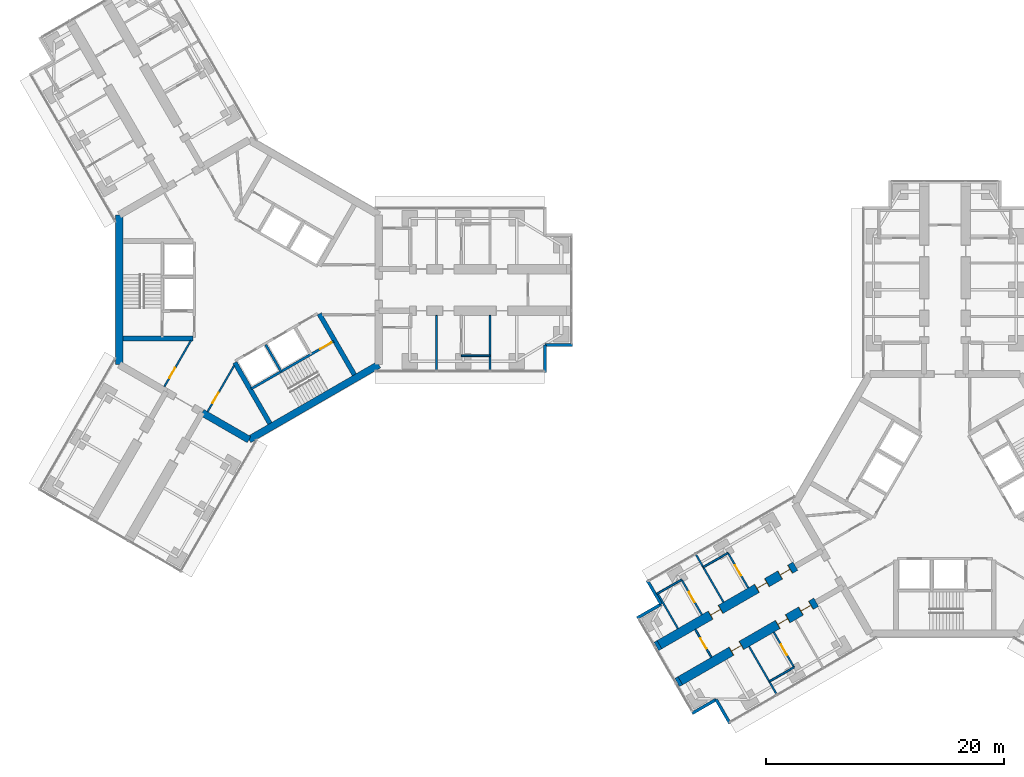
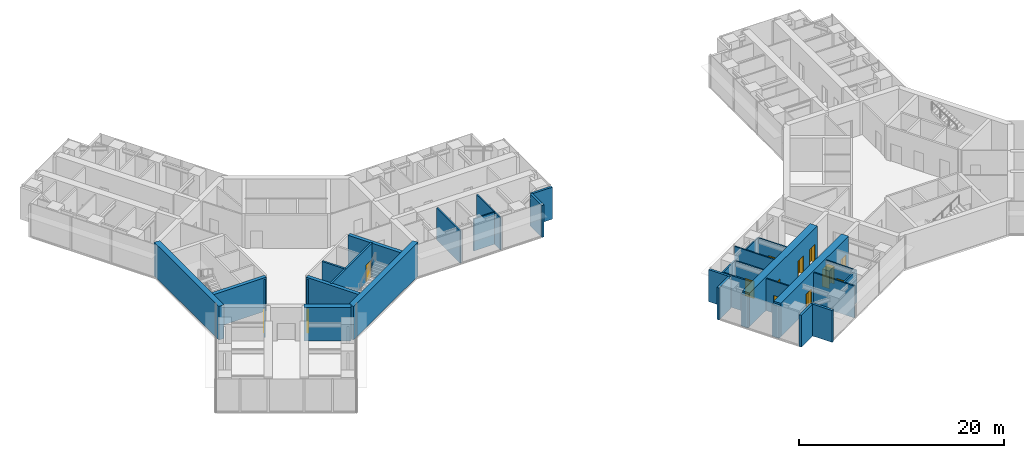
# One storey, part 15 of 22: 33 walls, 13 doors, 13 openings.
"""IFC4 building model written with IfcOpenShell, lengths in metres."""

from ifc_helpers import new_model, si_unit, direction, frame, frame_2d, origin, place, context, subcontext, project, spatial, rectangle, extrude, material, layer, layer_set, type_object, element, fill, save


model = new_model("IFC4")

# Units and contexts
model_context = context("Model", 3, precision=1e-05, world=origin(), true_north=direction((0.0, 1.0)))
body_context = subcontext(model_context, "Body", "Model", "MODEL_VIEW")
ifc_project = project(units=[si_unit("LENGTHUNIT", "METRE"), si_unit("AREAUNIT", "SQUARE_METRE"), si_unit("VOLUMEUNIT", "CUBIC_METRE"), si_unit("PLANEANGLEUNIT", "RADIAN"), si_unit("MASSUNIT", "GRAM", prefix="KILO")], contexts=[model_context])

# Site, building, storey
site_placement = place(None, origin())
site = spatial("IfcSite", under=ifc_project, at=site_placement, CompositionType="ELEMENT")
building_placement = place(site_placement, origin())
building = spatial("IfcBuilding", under=site, at=building_placement, Name="Upepo Twin Towers", CompositionType="ELEMENT")
storey_placement = place(building_placement, frame((0.0, 0.0, 133.5)))
storey = spatial("IfcBuildingStorey", under=building, at=storey_placement, Name="L32", CompositionType="ELEMENT", Elevation=133.5)

# Walls
ifc_material_1 = material(Name="Dense concrete blockwork", Category="masonry")
ifc_layer_1 = layer(ifc_material_1, 0.800048828125)
ifc_layer_set_1 = layer_set([ifc_layer_1], Name="Buttress closer 800, blockwork with fire-stopping to the curtain wall")
wall_type_1 = type_object("IfcWallType", Name="Buttress closer 800, blockwork with fire-stopping to the curtain wall", PredefinedType="PARTITIONING", material=ifc_layer_set_1)
wall_1_placement = place(storey_placement, frame((36.252197265625, -32.865478515625, 0.0), z_axis=(0.0, 0.0, 1.0), x_axis=(-0.865778900179, -0.500426713919, 0.0)))
element("IfcWall", 1, at=wall_1_placement, inside=storey, type_object=wall_type_1, Name="T2 L32 wing B buttress closer L", PredefinedType="PARTITIONING", context=body_context, shape_type="SweptSolid", body=[
    extrude(rectangle(XDim=0.300048828125, YDim=0.800048828125, at=frame_2d((0.14990234375, 0.0))), origin(), (0.0, 0.0, 1.0), 3.800048828125),
])
wall_2_placement = place(storey_placement, frame((34.502197265625, -29.83447265625, 0.0), z_axis=(0.0, 0.0, 1.0), x_axis=(-0.866131372301, -0.499816412211, 0.0)))
element("IfcWall", 2, at=wall_2_placement, inside=storey, type_object=wall_type_1, Name="T2 L32 wing B buttress closer R", PredefinedType="PARTITIONING", context=body_context, shape_type="SweptSolid", body=[
    extrude(rectangle(XDim=0.2998046875, YDim=0.800048828125, at=frame_2d((0.14990234375, 0.0))), origin(), (0.0, 0.0, 1.0), 3.800048828125),
])

# Wall, openings, doors
ifc_material_2 = material(Name="Concrete C60/75", Category="concrete")
ifc_layer_2 = layer(ifc_material_2, 0.800048828125)
ifc_layer_set_2 = layer_set([ifc_layer_2], Name="Concrete C60/75")
wall_type_2 = type_object("IfcWallType", Name="Buttress wall 800 RC", PredefinedType="SHEAR", material=ifc_layer_set_2)
wall_3_placement = place(storey_placement, frame((47.68359375, -26.265625, 0.0), z_axis=(0.0, 0.0, 1.0), x_axis=(-0.866027579429, -0.499996231654, 0.0)))
wall_3 = element("IfcWall", 3, at=wall_3_placement, inside=storey, type_object=wall_type_2, Name="T2 wing B buttress wall L part 2", PredefinedType="SHEAR", context=body_context, shape_type="SweptSolid", body=[
    extrude(rectangle(XDim=13.19970703125, YDim=0.800048828125, at=frame_2d((6.599853515625, 0.0))), origin(), (0.0, 0.0, 1.0), 4.0),
])
opening_1_placement = place(wall_3_placement, frame((0.5, 0.0, 0.0)))
opening_1 = element("IfcOpeningElement", 4, at=opening_1_placement, cuts=wall_3, Name="Opening D1", PredefinedType="OPENING", context=body_context, shape_type="SweptSolid", body=[
    extrude(rectangle(XDim=1.0, YDim=2.10009765625, at=frame_2d((0.5, 1.050048828125))), frame((0.0, 0.409912109375, 0.0), z_axis=(0.0, -1.0, 0.0), x_axis=(1.0, 0.0, 0.0)), (0.0, 0.0, 1.0), 0.820068359375),
])
opening_2_placement = place(wall_3_placement, frame((2.75, 0.0, 0.0)))
opening_2 = element("IfcOpeningElement", 5, at=opening_2_placement, cuts=wall_3, Name="Opening D1", PredefinedType="OPENING", context=body_context, shape_type="SweptSolid", body=[
    extrude(rectangle(XDim=1.0, YDim=2.10009765625, at=frame_2d((0.5, 1.050048828125))), frame((0.0, 0.409912109375, 0.0), z_axis=(0.0, -1.0, 0.0), x_axis=(1.0, 0.0, 0.0)), (0.0, 0.0, 1.0), 0.820068359375),
])
opening_3_placement = place(wall_3_placement, frame((7.25, 0.0, 0.0)))
opening_3 = element("IfcOpeningElement", 6, at=opening_3_placement, cuts=wall_3, Name="Opening D1", PredefinedType="OPENING", context=body_context, shape_type="SweptSolid", body=[
    extrude(rectangle(XDim=1.0, YDim=2.10009765625, at=frame_2d((0.5, 1.050048828125))), frame((0.0, 0.409912109375, 0.0), z_axis=(0.0, -1.0, 0.0), x_axis=(1.0, 0.0, 0.0)), (0.0, 0.0, 1.0), 0.820068359375),
])
ifc_material_3 = material(Name="Timber doorset", Category="wood")
door_type_1 = type_object("IfcDoorType", Name="Room door 1000 FD30", OperationType="SINGLE_SWING_LEFT", PredefinedType="DOOR", material=ifc_material_3)
door_1_placement = place(opening_1_placement, origin())
door_1 = element("IfcDoor", 7, at=door_1_placement, inside=storey, type_object=door_type_1, Name="T2 L32 tutorial room door", OperationType="SINGLE_SWING_LEFT", OverallHeight=2.10009765625, OverallWidth=1.0, PredefinedType="DOOR", context=body_context, shape_type="SweptSolid", body=[
    extrude(rectangle(XDim=0.92, YDim=2.06009765625, at=frame_2d((0.5, 1.030029296875))), frame((0.0, 0.02490234375, 0.0), z_axis=(0.0, -1.0, 0.0), x_axis=(1.0, 0.0, 0.0)), (0.0, 0.0, 1.0), 0.050048828125),
    extrude(rectangle(XDim=0.04, YDim=2.10009765625, at=frame_2d((0.02001953125, 1.050048828125))), frame((0.0, 0.39990234375, 0.0), z_axis=(0.0, -1.0, 0.0), x_axis=(1.0, 0.0, 0.0)), (0.0, 0.0, 1.0), 0.799560546875),
    extrude(rectangle(XDim=0.04, YDim=2.10009765625, at=frame_2d((0.97998046875, 1.050048828125))), frame((0.0, 0.39990234375, 0.0), z_axis=(0.0, -1.0, 0.0), x_axis=(1.0, 0.0, 0.0)), (0.0, 0.0, 1.0), 0.799560546875),
    extrude(rectangle(XDim=0.92, YDim=0.04, at=frame_2d((0.5, 2.080078125))), frame((0.0, 0.39990234375, 0.0), z_axis=(0.0, -1.0, 0.0), x_axis=(1.0, 0.0, 0.0)), (0.0, 0.0, 1.0), 0.799560546875),
])
fill(opening_1, door_1)
door_2_placement = place(opening_2_placement, origin())
door_2 = element("IfcDoor", 8, at=door_2_placement, inside=storey, type_object=door_type_1, Name="T2 L32 staff office door", OperationType="SINGLE_SWING_LEFT", OverallHeight=2.10009765625, OverallWidth=1.0, PredefinedType="DOOR", context=body_context, shape_type="SweptSolid", body=[
    extrude(rectangle(XDim=0.92, YDim=2.06009765625, at=frame_2d((0.5, 1.030029296875))), frame((0.0, 0.02490234375, 0.0), z_axis=(0.0, -1.0, 0.0), x_axis=(1.0, 0.0, 0.0)), (0.0, 0.0, 1.0), 0.050048828125),
    extrude(rectangle(XDim=0.04, YDim=2.10009765625, at=frame_2d((0.02001953125, 1.050048828125))), frame((0.0, 0.39990234375, 0.0), z_axis=(0.0, -1.0, 0.0), x_axis=(1.0, 0.0, 0.0)), (0.0, 0.0, 1.0), 0.799560546875),
    extrude(rectangle(XDim=0.04, YDim=2.10009765625, at=frame_2d((0.97998046875, 1.050048828125))), frame((0.0, 0.39990234375, 0.0), z_axis=(0.0, -1.0, 0.0), x_axis=(1.0, 0.0, 0.0)), (0.0, 0.0, 1.0), 0.799560546875),
    extrude(rectangle(XDim=0.92, YDim=0.04, at=frame_2d((0.5, 2.080078125))), frame((0.0, 0.39990234375, 0.0), z_axis=(0.0, -1.0, 0.0), x_axis=(1.0, 0.0, 0.0)), (0.0, 0.0, 1.0), 0.799560546875),
])
fill(opening_2, door_2)
door_3_placement = place(opening_3_placement, origin())
door_3 = element("IfcDoor", 9, at=door_3_placement, inside=storey, type_object=door_type_1, Name="T2 L32 seminar room door", OperationType="SINGLE_SWING_RIGHT", OverallHeight=2.10009765625, OverallWidth=1.0, PredefinedType="DOOR", context=body_context, shape_type="SweptSolid", body=[
    extrude(rectangle(XDim=0.92, YDim=2.06009765625, at=frame_2d((0.5, 1.030029296875))), frame((0.0, 0.02490234375, 0.0), z_axis=(0.0, -1.0, 0.0), x_axis=(1.0, 0.0, 0.0)), (0.0, 0.0, 1.0), 0.050048828125),
    extrude(rectangle(XDim=0.04, YDim=2.10009765625, at=frame_2d((0.02001953125, 1.050048828125))), frame((0.0, 0.39990234375, 0.0), z_axis=(0.0, -1.0, 0.0), x_axis=(1.0, 0.0, 0.0)), (0.0, 0.0, 1.0), 0.799560546875),
    extrude(rectangle(XDim=0.04, YDim=2.10009765625, at=frame_2d((0.97998046875, 1.050048828125))), frame((0.0, 0.39990234375, 0.0), z_axis=(0.0, -1.0, 0.0), x_axis=(1.0, 0.0, 0.0)), (0.0, 0.0, 1.0), 0.799560546875),
    extrude(rectangle(XDim=0.92, YDim=0.04, at=frame_2d((0.5, 2.080078125))), frame((0.0, 0.39990234375, 0.0), z_axis=(0.0, -1.0, 0.0), x_axis=(1.0, 0.0, 0.0)), (0.0, 0.0, 1.0), 0.799560546875),
])
fill(opening_3, door_3)

wall_4_placement = place(storey_placement, frame((45.93359375, -23.234375, 0.0), z_axis=(0.0, 0.0, 1.0), x_axis=(-0.866019570528, -0.500010103361, 0.0)))
wall_4 = element("IfcWall", 10, at=wall_4_placement, inside=storey, type_object=wall_type_2, Name="T2 wing B buttress wall R part 2", PredefinedType="SHEAR", context=body_context, shape_type="SweptSolid", body=[
    extrude(rectangle(XDim=13.199951171875, YDim=0.800048828125, at=frame_2d((6.60009765625, 0.0))), origin(), (0.0, 0.0, 1.0), 4.0),
])
opening_4_placement = place(wall_4_placement, frame((0.5, 0.0, 0.0)))
opening_4 = element("IfcOpeningElement", 11, at=opening_4_placement, cuts=wall_4, Name="Opening D1", PredefinedType="OPENING", context=body_context, shape_type="SweptSolid", body=[
    extrude(rectangle(XDim=1.0, YDim=2.10009765625, at=frame_2d((0.5, 1.050048828125))), frame((0.0, 0.409912109375, 0.0), z_axis=(0.0, -1.0, 0.0), x_axis=(1.0, 0.0, 0.0)), (0.0, 0.0, 1.0), 0.820068359375),
])
opening_5_placement = place(wall_4_placement, frame((2.75, 0.0, 0.0)))
opening_5 = element("IfcOpeningElement", 12, at=opening_5_placement, cuts=wall_4, Name="Opening D1", PredefinedType="OPENING", context=body_context, shape_type="SweptSolid", body=[
    extrude(rectangle(XDim=1.0, YDim=2.10009765625, at=frame_2d((0.5, 1.050048828125))), frame((0.0, 0.409912109375, 0.0), z_axis=(0.0, -1.0, 0.0), x_axis=(1.0, 0.0, 0.0)), (0.0, 0.0, 1.0), 0.820068359375),
])
opening_6_placement = place(wall_4_placement, frame((7.25, 0.0, 0.0)))
opening_6 = element("IfcOpeningElement", 13, at=opening_6_placement, cuts=wall_4, Name="Opening D1", PredefinedType="OPENING", context=body_context, shape_type="SweptSolid", body=[
    extrude(rectangle(XDim=1.0, YDim=2.10009765625, at=frame_2d((0.5, 1.050048828125))), frame((0.0, 0.409912109375, 0.0), z_axis=(0.0, -1.0, 0.0), x_axis=(1.0, 0.0, 0.0)), (0.0, 0.0, 1.0), 0.820068359375),
])
door_4_placement = place(opening_4_placement, origin())
door_4 = element("IfcDoor", 14, at=door_4_placement, inside=storey, type_object=door_type_1, Name="T2 L32 law clinic door", OperationType="SINGLE_SWING_LEFT", OverallHeight=2.10009765625, OverallWidth=1.0, PredefinedType="DOOR", context=body_context, shape_type="SweptSolid", body=[
    extrude(rectangle(XDim=0.92, YDim=2.06009765625, at=frame_2d((0.5, 1.030029296875))), frame((0.0, 0.02490234375, 0.0), z_axis=(0.0, -1.0, 0.0), x_axis=(1.0, 0.0, 0.0)), (0.0, 0.0, 1.0), 0.050048828125),
    extrude(rectangle(XDim=0.04, YDim=2.10009765625, at=frame_2d((0.02001953125, 1.050048828125))), frame((0.0, 0.39990234375, 0.0), z_axis=(0.0, -1.0, 0.0), x_axis=(1.0, 0.0, 0.0)), (0.0, 0.0, 1.0), 0.799560546875),
    extrude(rectangle(XDim=0.04, YDim=2.10009765625, at=frame_2d((0.97998046875, 1.050048828125))), frame((0.0, 0.39990234375, 0.0), z_axis=(0.0, -1.0, 0.0), x_axis=(1.0, 0.0, 0.0)), (0.0, 0.0, 1.0), 0.799560546875),
    extrude(rectangle(XDim=0.92, YDim=0.04, at=frame_2d((0.5, 2.080078125))), frame((0.0, 0.39990234375, 0.0), z_axis=(0.0, -1.0, 0.0), x_axis=(1.0, 0.0, 0.0)), (0.0, 0.0, 1.0), 0.799560546875),
])
fill(opening_4, door_4)
door_5_placement = place(opening_5_placement, origin())
door_5 = element("IfcDoor", 15, at=door_5_placement, inside=storey, type_object=door_type_1, Name="T2 L32 law clinic door", OperationType="SINGLE_SWING_LEFT", OverallHeight=2.10009765625, OverallWidth=1.0, PredefinedType="DOOR", context=body_context, shape_type="SweptSolid", body=[
    extrude(rectangle(XDim=0.92, YDim=2.06009765625, at=frame_2d((0.5, 1.030029296875))), frame((0.0, 0.02490234375, 0.0), z_axis=(0.0, -1.0, 0.0), x_axis=(1.0, 0.0, 0.0)), (0.0, 0.0, 1.0), 0.050048828125),
    extrude(rectangle(XDim=0.04, YDim=2.10009765625, at=frame_2d((0.02001953125, 1.050048828125))), frame((0.0, 0.39990234375, 0.0), z_axis=(0.0, -1.0, 0.0), x_axis=(1.0, 0.0, 0.0)), (0.0, 0.0, 1.0), 0.799560546875),
    extrude(rectangle(XDim=0.04, YDim=2.10009765625, at=frame_2d((0.97998046875, 1.050048828125))), frame((0.0, 0.39990234375, 0.0), z_axis=(0.0, -1.0, 0.0), x_axis=(1.0, 0.0, 0.0)), (0.0, 0.0, 1.0), 0.799560546875),
    extrude(rectangle(XDim=0.92, YDim=0.04, at=frame_2d((0.5, 2.080078125))), frame((0.0, 0.39990234375, 0.0), z_axis=(0.0, -1.0, 0.0), x_axis=(1.0, 0.0, 0.0)), (0.0, 0.0, 1.0), 0.799560546875),
])
fill(opening_5, door_5)
door_6_placement = place(opening_6_placement, origin())
door_6 = element("IfcDoor", 16, at=door_6_placement, inside=storey, type_object=door_type_1, Name="T2 L32 tutorial room door", OperationType="SINGLE_SWING_RIGHT", OverallHeight=2.10009765625, OverallWidth=1.0, PredefinedType="DOOR", context=body_context, shape_type="SweptSolid", body=[
    extrude(rectangle(XDim=0.92, YDim=2.06009765625, at=frame_2d((0.5, 1.030029296875))), frame((0.0, 0.02490234375, 0.0), z_axis=(0.0, -1.0, 0.0), x_axis=(1.0, 0.0, 0.0)), (0.0, 0.0, 1.0), 0.050048828125),
    extrude(rectangle(XDim=0.04, YDim=2.10009765625, at=frame_2d((0.02001953125, 1.050048828125))), frame((0.0, 0.39990234375, 0.0), z_axis=(0.0, -1.0, 0.0), x_axis=(1.0, 0.0, 0.0)), (0.0, 0.0, 1.0), 0.799560546875),
    extrude(rectangle(XDim=0.04, YDim=2.10009765625, at=frame_2d((0.97998046875, 1.050048828125))), frame((0.0, 0.39990234375, 0.0), z_axis=(0.0, -1.0, 0.0), x_axis=(1.0, 0.0, 0.0)), (0.0, 0.0, 1.0), 0.799560546875),
    extrude(rectangle(XDim=0.92, YDim=0.04, at=frame_2d((0.5, 2.080078125))), frame((0.0, 0.39990234375, 0.0), z_axis=(0.0, -1.0, 0.0), x_axis=(1.0, 0.0, 0.0)), (0.0, 0.0, 1.0), 0.799560546875),
])
fill(opening_6, door_6)

# Walls
ifc_material_4 = material(Name="Concrete C60/75", Category="concrete")
ifc_layer_3 = layer(ifc_material_4, 0.60009765625)
ifc_layer_set_3 = layer_set([ifc_layer_3], Name="Concrete C60/75")
wall_type_3 = type_object("IfcWallType", Name="Core wall 600 RC", PredefinedType="SHEAR", material=ifc_layer_set_3)
wall_5_placement = place(storey_placement, frame((-10.908447265625, 6.2978515625, 0.0), z_axis=(0.0, 0.0, 1.0), x_axis=(0.0, -1.0, 0.0)))
element("IfcWall", 17, at=wall_5_placement, inside=storey, type_object=wall_type_3, Name="T1 core wall 180", PredefinedType="SHEAR", context=body_context, shape_type="SweptSolid", body=[
    extrude(rectangle(XDim=12.595703125, YDim=0.60009765625, at=frame_2d((6.2978515625, 0.0))), origin(), (0.0, 0.0, 1.0), 4.0),
])
wall_6_placement = place(storey_placement, frame((-3.938720703125, -10.32177734375, 0.0), z_axis=(0.0, 0.0, 1.0), x_axis=(0.866011268655, -0.500024481964, 0.0)))
element("IfcWall", 18, at=wall_6_placement, inside=storey, type_object=wall_type_3, Name="T1 core wall 240 L", PredefinedType="SHEAR", context=body_context, shape_type="SweptSolid", body=[
    extrude(rectangle(XDim=4.548095703125, YDim=0.60009765625, at=frame_2d((2.27392578125, 0.0))), origin(), (0.0, 0.0, 1.0), 4.0),
])
wall_7_placement = place(storey_placement, frame((0.0, -12.595947265625, 0.0), z_axis=(0.0, 0.0, 1.0), x_axis=(0.866021940709, 0.500005998175, 0.0)))
element("IfcWall", 19, at=wall_7_placement, inside=storey, type_object=wall_type_3, Name="T1 core wall 300", PredefinedType="SHEAR", context=body_context, shape_type="SweptSolid", body=[
    extrude(rectangle(XDim=12.595947265625, YDim=0.60009765625, at=frame_2d((6.2978515625, 0.0))), origin(), (0.0, 0.0, 1.0), 4.0),
])
ifc_material_5 = material(Name="Blockwork with anodised aluminium cladding", Category="masonry")
ifc_layer_4 = layer(ifc_material_5, 0.25)
ifc_layer_set_4 = layer_set([ifc_layer_4], Name="Notch cladding wall 250, pale metal")
wall_type_4 = type_object("IfcWallType", Name="Notch cladding wall 250, pale metal", PredefinedType="STANDARD", material=ifc_layer_set_4)
for number, where, z_axis, x_axis, name in (
    (20, (24.875, -6.949951171875, 0.0), (0.0, 0.0, 1.0), (0.0, 1.0, 0.0), "T1 L32 wing A notch wall R1"),
    (21, (24.875, -4.625, 0.0), (0.0, 0.0, 1.0), (1.0, 0.0, 0.0), "T1 L32 wing A notch wall R2"),
    (22, (40.4326171875, -36.456298828125, 0.0), (0.0, 0.0, 1.0), (-0.500046648681, 0.865998469481, 0.0), "T2 L32 wing B notch wall L1"),
    (23, (39.27001953125, -34.44287109375, 0.0), (0.0, 0.0, 1.0), (-0.865998469481, -0.500046648681, 0.0), "T2 L32 wing B notch wall L2"),
    (24, (33.482666015625, -24.418701171875, 0.0), (0.0, 0.0, 1.0), (0.499967891604, -0.866043940782, 0.0), "T2 L32 wing B notch wall R1"),
    (25, (34.64501953125, -26.43212890625, 0.0), (0.0, 0.0, 1.0), (-0.865998469481, -0.500046648681, 0.0), "T2 L32 wing B notch wall R2"),
):
    element("IfcWall", number, at=place(storey_placement, frame(where, z_axis=z_axis, x_axis=x_axis)), inside=storey, type_object=wall_type_4, Name=name, PredefinedType="STANDARD", context=body_context, shape_type="SweptSolid", body=[
        extrude(rectangle(XDim=2.324951171875, YDim=0.25, at=frame_2d((1.16259765625, 0.0))), origin(), (0.0, 0.0, 1.0), 3.800048828125),
    ])
ifc_material_6 = material(Name="Concrete C40/50", Category="concrete")
ifc_layer_5 = layer(ifc_material_6, 0.199951171875)
ifc_layer_set_5 = layer_set([ifc_layer_5], Name="Concrete C40/50")
wall_type_5 = type_object("IfcWallType", Name="Shaft wall 200 RC", PredefinedType="SHEAR", material=ifc_layer_set_5)
wall_8_placement = place(storey_placement, frame((1.3974609375, -4.620361328125, 0.0), z_axis=(0.0, 0.0, 1.0), x_axis=(0.499936506574, -0.866062058628, 0.0)))
element("IfcWall", 26, at=wall_8_placement, inside=storey, type_object=wall_type_5, Name="T1 core W300 shaft divider", PredefinedType="SHEAR", context=body_context, shape_type="SweptSolid", body=[
    extrude(rectangle(XDim=2.599853515625, YDim=0.199951171875, at=frame_2d((1.2998046875, 0.0))), origin(), (0.0, 0.0, 1.0), 4.0),
])

# Wall, opening, door
wall_9_placement = place(storey_placement, frame((0.185791015625, -8.322021484375, 0.0), z_axis=(0.0, 0.0, 1.0), x_axis=(0.866026010844, 0.49999894854, 0.0)))
wall_9 = element("IfcWall", 27, at=wall_9_placement, inside=storey, type_object=wall_type_5, Name="T1 core W300 stair wall", PredefinedType="SHEAR", context=body_context, shape_type="SweptSolid", body=[
    extrude(rectangle(XDim=8.0, YDim=0.199951171875, at=frame_2d((4.0, 0.0))), origin(), (0.0, 0.0, 1.0), 4.0),
])
opening_7_placement = place(wall_9_placement, frame((6.699951171875, 0.0, 0.0)))
opening_7 = element("IfcOpeningElement", 28, at=opening_7_placement, cuts=wall_9, Name="Opening D3", PredefinedType="OPENING", context=body_context, shape_type="SweptSolid", body=[
    extrude(rectangle(XDim=1.10009765625, YDim=2.10009765625, at=frame_2d((0.550048828125, 1.050048828125))), frame((0.0, 0.10986328125, 0.0), z_axis=(0.0, -1.0, 0.0), x_axis=(1.0, 0.0, 0.0)), (0.0, 0.0, 1.0), 0.219970703125),
])
ifc_material_7 = material(Name="Timber doorset", Category="wood")
door_type_2 = type_object("IfcDoorType", Name="Stair door 1100 FD60", OperationType="SINGLE_SWING_LEFT", PredefinedType="DOOR", material=ifc_material_7)
door_7_placement = place(opening_7_placement, origin())
door_7 = element("IfcDoor", 29, at=door_7_placement, inside=storey, type_object=door_type_2, Name="T1 L32 stair door", OperationType="SINGLE_SWING_RIGHT", OverallHeight=2.10009765625, OverallWidth=1.10009765625, PredefinedType="DOOR", context=body_context, shape_type="SweptSolid", body=[
    extrude(rectangle(XDim=1.10009765625, YDim=2.10009765625, at=frame_2d((0.550048828125, 1.050048828125))), frame((0.0, 0.02490234375, 0.0), z_axis=(0.0, -1.0, 0.0), x_axis=(1.0, 0.0, 0.0)), (0.0, 0.0, 1.0), 0.050048828125),
])
fill(opening_7, door_7)

# Walls
ifc_material_8 = material(Name="Concrete C40/50", Category="concrete")
ifc_layer_6 = layer(ifc_material_8, 0.39990234375)
ifc_layer_set_6 = layer_set([ifc_layer_6], Name="Concrete C40/50")
wall_type_6 = type_object("IfcWallType", Name="Shaft wall 400 RC", PredefinedType="SHEAR", material=ifc_layer_set_6)
for number, where, z_axis, x_axis, name in (
    (30, (-4.699951171875, -4.10009765625, 0.0), (0.0, 0.0, 1.0), (-1.0, 0.0, 0.0), "T1 core W180 side wall N"),
    (31, (5.900634765625, -2.020263671875, 0.0), (0.0, 0.0, 1.0), (0.500027676417, -0.866009424208, 0.0), "T1 core W300 side wall N"),
):
    element("IfcWall", number, at=place(storey_placement, frame(where, z_axis=z_axis, x_axis=x_axis)), inside=storey, type_object=wall_type_6, Name=name, PredefinedType="SHEAR", context=body_context, shape_type="SweptSolid", body=[
        extrude(rectangle(XDim=5.908447265625, YDim=0.39990234375, at=frame_2d((2.9541015625, 0.0))), origin(), (0.0, 0.0, 1.0), 4.0),
    ])
wall_10_placement = place(storey_placement, frame((-1.20068359375, -6.120361328125, 0.0), z_axis=(0.0, 0.0, 1.0), x_axis=(0.49999668571, -0.866027317282, 0.0)))
element("IfcWall", 32, at=wall_10_placement, inside=storey, type_object=wall_type_6, Name="T1 core W300 side wall S", PredefinedType="SHEAR", context=body_context, shape_type="SweptSolid", body=[
    extrude(rectangle(XDim=5.908203125, YDim=0.39990234375, at=frame_2d((2.9541015625, 0.0))), origin(), (0.0, 0.0, 1.0), 4.0),
])
ifc_material_9 = material(Name="Gypsum board on steel studs", Category="steel")
ifc_layer_7 = layer(ifc_material_9, 0.14990234375)
ifc_layer_set_7 = layer_set([ifc_layer_7], Name="Teaching partition 150 acoustic")
wall_type_7 = type_object("IfcWallType", Name="Teaching partition 150 acoustic", PredefinedType="PARTITIONING", material=ifc_layer_set_7)
for number, where, z_axis, x_axis, name in (
    (33, (15.75, -2.14990234375, 0.0), (0.0, 0.0, 1.0), (0.0, -1.0, 0.0), "T1 partition AR at 15.75"),
    (34, (20.25, -2.14990234375, 0.0), (0.0, 0.0, 1.0), (0.0, -1.0, 0.0), "T1 partition AR at 20.25"),
):
    element("IfcWall", number, at=place(storey_placement, frame(where, z_axis=z_axis, x_axis=x_axis)), inside=storey, type_object=wall_type_7, Name=name, PredefinedType="PARTITIONING", context=body_context, shape_type="SweptSolid", body=[
        extrude(rectangle(XDim=4.60009765625, YDim=0.14990234375, at=frame_2d((2.300048828125, 0.0))), origin(), (0.0, 0.0, 1.0), 3.800048828125),
    ])
wall_11_placement = place(storey_placement, frame((17.85009765625, -5.550048828125, 0.0), z_axis=(0.0, 0.0, 1.0), x_axis=(1.0, 0.0, 0.0)))
element("IfcWall", 35, at=wall_11_placement, inside=storey, type_object=wall_type_7, Name="T1 inner room partition AR at 17.85", PredefinedType="PARTITIONING", context=body_context, shape_type="SweptSolid", body=[
    extrude(rectangle(XDim=2.39990234375, YDim=0.14990234375, at=frame_2d((1.199951171875, 0.0))), origin(), (0.0, 0.0, 1.0), 3.800048828125),
])

# Wall, opening, door
wall_12_placement = place(storey_placement, frame((-1.252685546875, -6.36962890625, 0.0), z_axis=(0.0, 0.0, 1.0), x_axis=(-0.499999473313, -0.866025707867, 0.0)))
wall_12 = element("IfcWall", 36, at=wall_12_placement, inside=storey, type_object=wall_type_7, Name="T1 core room partition 1", PredefinedType="PARTITIONING", context=body_context, shape_type="SweptSolid", body=[
    extrude(rectangle(XDim=4.4755859375, YDim=0.14990234375, at=frame_2d((2.23779296875, 0.0))), origin(), (0.0, 0.0, 1.0), 3.800048828125),
])
opening_8_placement = place(wall_12_placement, frame((2.633056640625, 0.0, 0.0)))
opening_8 = element("IfcOpeningElement", 37, at=opening_8_placement, cuts=wall_12, Name="Opening D1", PredefinedType="OPENING", context=body_context, shape_type="SweptSolid", body=[
    extrude(rectangle(XDim=1.0, YDim=2.10009765625, at=frame_2d((0.5, 1.050048828125))), frame((0.0, 0.0849609375, 0.0), z_axis=(0.0, -1.0, 0.0), x_axis=(1.0, 0.0, 0.0)), (0.0, 0.0, 1.0), 0.169921875),
])
door_8_placement = place(opening_8_placement, origin())
door_8 = element("IfcDoor", 38, at=door_8_placement, inside=storey, type_object=door_type_1, Name="T1 L32 core room door K2", OperationType="SINGLE_SWING_RIGHT", OverallHeight=2.10009765625, OverallWidth=1.0, PredefinedType="DOOR", context=body_context, shape_type="SweptSolid", body=[
    extrude(rectangle(XDim=1.0, YDim=2.10009765625, at=frame_2d((0.5, 1.050048828125))), frame((0.0, 0.02490234375, 0.0), z_axis=(0.0, -1.0, 0.0), x_axis=(1.0, 0.0, 0.0)), (0.0, 0.0, 1.0), 0.050048828125),
])
fill(opening_8, door_8)

wall_13_placement = place(storey_placement, frame((-7.127685546875, -8.145751953125, 0.0), z_axis=(0.0, 0.0, 1.0), x_axis=(0.499999473313, 0.866025707867, 0.0)))
wall_13 = element("IfcWall", 39, at=wall_13_placement, inside=storey, type_object=wall_type_7, Name="T1 core room partition 2", PredefinedType="PARTITIONING", context=body_context, shape_type="SweptSolid", body=[
    extrude(rectangle(XDim=4.4755859375, YDim=0.14990234375, at=frame_2d((2.23779296875, 0.0))), origin(), (0.0, 0.0, 1.0), 3.800048828125),
])
opening_9_placement = place(wall_13_placement, frame((0.8427734375, 0.0, 0.0)))
opening_9 = element("IfcOpeningElement", 40, at=opening_9_placement, cuts=wall_13, Name="Opening D1", PredefinedType="OPENING", context=body_context, shape_type="SweptSolid", body=[
    extrude(rectangle(XDim=1.0, YDim=2.10009765625, at=frame_2d((0.5, 1.050048828125))), frame((0.0, 0.0849609375, 0.0), z_axis=(0.0, -1.0, 0.0), x_axis=(1.0, 0.0, 0.0)), (0.0, 0.0, 1.0), 0.169921875),
])
door_9_placement = place(opening_9_placement, origin())
door_9 = element("IfcDoor", 41, at=door_9_placement, inside=storey, type_object=door_type_1, Name="T1 L32 core room door K1", OperationType="SINGLE_SWING_LEFT", OverallHeight=2.10009765625, OverallWidth=1.0, PredefinedType="DOOR", context=body_context, shape_type="SweptSolid", body=[
    extrude(rectangle(XDim=1.0, YDim=2.10009765625, at=frame_2d((0.5, 1.050048828125))), frame((0.0, 0.02490234375, 0.0), z_axis=(0.0, -1.0, 0.0), x_axis=(1.0, 0.0, 0.0)), (0.0, 0.0, 1.0), 0.050048828125),
])
fill(opening_9, door_9)

# Walls
wall_14_placement = place(storey_placement, frame((42.0380859375, -29.987060546875, 0.0), z_axis=(0.0, 0.0, 1.0), x_axis=(0.499975146636, -0.866039752405, 0.0)))
element("IfcWall", 42, at=wall_14_placement, inside=storey, type_object=wall_type_7, Name="T2 partition BL at 20.25", PredefinedType="PARTITIONING", context=body_context, shape_type="SweptSolid", body=[
    extrude(rectangle(XDim=4.599853515625, YDim=0.14990234375, at=frame_2d((2.2998046875, 0.0))), origin(), (0.0, 0.0, 1.0), 3.800048828125),
])
wall_15_placement = place(storey_placement, frame((45.81640625, -31.7314453125, 0.0), z_axis=(0.0, 0.0, 1.0), x_axis=(-0.866024647952, -0.500001309137, 0.0)))
element("IfcWall", 43, at=wall_15_placement, inside=storey, type_object=wall_type_7, Name="T2 inner room partition BL at 17.85", PredefinedType="PARTITIONING", context=body_context, shape_type="SweptSolid", body=[
    extrude(rectangle(XDim=2.39990234375, YDim=0.14990234375, at=frame_2d((1.199951171875, 0.0))), origin(), (0.0, 0.0, 1.0), 3.800048828125),
])

# Wall, opening, door
wall_16_placement = place(storey_placement, frame((44.116455078125, -28.786865234375, 0.0), z_axis=(0.0, 0.0, 1.0), x_axis=(0.499977295307, -0.866038511948, 0.0)))
wall_16 = element("IfcWall", 44, at=wall_16_placement, inside=storey, type_object=wall_type_7, Name="T2 inner room partition BL end at 17.85", PredefinedType="PARTITIONING", context=body_context, shape_type="SweptSolid", body=[
    extrude(rectangle(XDim=3.400146484375, YDim=0.14990234375, at=frame_2d((1.7001953125, 0.0))), origin(), (0.0, 0.0, 1.0), 3.800048828125),
])
opening_10_placement = place(wall_16_placement, frame((1.199951171875, 0.0, 0.0)))
opening_10 = element("IfcOpeningElement", 45, at=opening_10_placement, cuts=wall_16, Name="Opening D1", PredefinedType="OPENING", context=body_context, shape_type="SweptSolid", body=[
    extrude(rectangle(XDim=1.0, YDim=2.10009765625, at=frame_2d((0.5, 1.050048828125))), frame((0.0, 0.0849609375, 0.0), z_axis=(0.0, -1.0, 0.0), x_axis=(1.0, 0.0, 0.0)), (0.0, 0.0, 1.0), 0.169921875),
])
door_10_placement = place(opening_10_placement, origin())
door_10 = element("IfcDoor", 46, at=door_10_placement, inside=storey, type_object=door_type_1, Name="T2 L32 inner room door", OperationType="SINGLE_SWING_LEFT", OverallHeight=2.10009765625, OverallWidth=1.0, PredefinedType="DOOR", context=body_context, shape_type="SweptSolid", body=[
    extrude(rectangle(XDim=1.0, YDim=2.10009765625, at=frame_2d((0.5, 1.050048828125))), frame((0.0, 0.02490234375, 0.0), z_axis=(0.0, -1.0, 0.0), x_axis=(1.0, 0.0, 0.0)), (0.0, 0.0, 1.0), 0.050048828125),
])
fill(opening_10, door_10)

# Walls
wall_17_placement = place(storey_placement, frame((39.887939453125, -26.262939453125, 0.0), z_axis=(0.0, 0.0, 1.0), x_axis=(-0.500014953309, 0.866016770315, 0.0)))
element("IfcWall", 47, at=wall_17_placement, inside=storey, type_object=wall_type_7, Name="T2 partition BR at 20.25", PredefinedType="PARTITIONING", context=body_context, shape_type="SweptSolid", body=[
    extrude(rectangle(XDim=4.599853515625, YDim=0.14990234375, at=frame_2d((2.2998046875, 0.0))), origin(), (0.0, 0.0, 1.0), 3.800048828125),
])
wall_18_placement = place(storey_placement, frame((40.266357421875, -22.11865234375, 0.0), z_axis=(0.0, 0.0, 1.0), x_axis=(-0.866024647952, -0.500001309137, 0.0)))
element("IfcWall", 48, at=wall_18_placement, inside=storey, type_object=wall_type_7, Name="T2 inner room partition BR at 17.85", PredefinedType="PARTITIONING", context=body_context, shape_type="SweptSolid", body=[
    extrude(rectangle(XDim=2.39990234375, YDim=0.14990234375, at=frame_2d((1.199951171875, 0.0))), origin(), (0.0, 0.0, 1.0), 3.800048828125),
])

# Wall, opening, door
wall_19_placement = place(storey_placement, frame((41.966552734375, -25.06298828125, 0.0), z_axis=(0.0, 0.0, 1.0), x_axis=(-0.500062241894, 0.865989465428, 0.0)))
wall_19 = element("IfcWall", 49, at=wall_19_placement, inside=storey, type_object=wall_type_7, Name="T2 inner room partition BR end at 17.85", PredefinedType="PARTITIONING", context=body_context, shape_type="SweptSolid", body=[
    extrude(rectangle(XDim=3.39990234375, YDim=0.14990234375, at=frame_2d((1.699951171875, 0.0))), origin(), (0.0, 0.0, 1.0), 3.800048828125),
])
opening_11_placement = place(wall_19_placement, frame((1.199951171875, 0.0, 0.0)))
opening_11 = element("IfcOpeningElement", 50, at=opening_11_placement, cuts=wall_19, Name="Opening D1", PredefinedType="OPENING", context=body_context, shape_type="SweptSolid", body=[
    extrude(rectangle(XDim=1.0, YDim=2.10009765625, at=frame_2d((0.5, 1.050048828125))), frame((0.0, 0.0849609375, 0.0), z_axis=(0.0, -1.0, 0.0), x_axis=(1.0, 0.0, 0.0)), (0.0, 0.0, 1.0), 0.169921875),
])
door_11_placement = place(opening_11_placement, origin())
door_11 = element("IfcDoor", 51, at=door_11_placement, inside=storey, type_object=door_type_1, Name="T2 L32 inner room door", OperationType="SINGLE_SWING_LEFT", OverallHeight=2.10009765625, OverallWidth=1.0, PredefinedType="DOOR", context=body_context, shape_type="SweptSolid", body=[
    extrude(rectangle(XDim=1.0, YDim=2.10009765625, at=frame_2d((0.5, 1.050048828125))), frame((0.0, 0.02490234375, 0.0), z_axis=(0.0, -1.0, 0.0), x_axis=(1.0, 0.0, 0.0)), (0.0, 0.0, 1.0), 0.050048828125),
])
fill(opening_11, door_11)

# Wall
wall_20_placement = place(storey_placement, frame((36.369384765625, -24.36865234375, 0.0), z_axis=(0.0, 0.0, 1.0), x_axis=(-0.866050077142, -0.499957262057, 0.0)))
element("IfcWall", 52, at=wall_20_placement, inside=storey, type_object=wall_type_7, Name="T2 inner room partition BR at 22.35", PredefinedType="PARTITIONING", context=body_context, shape_type="SweptSolid", body=[
    extrude(rectangle(XDim=2.400146484375, YDim=0.14990234375, at=frame_2d((1.2001953125, 0.0))), origin(), (0.0, 0.0, 1.0), 3.800048828125),
])

# Wall, opening, door
wall_21_placement = place(storey_placement, frame((38.0693359375, -27.31298828125, 0.0), z_axis=(0.0, 0.0, 1.0), x_axis=(-0.500008388397, 0.866020560687, 0.0)))
wall_21 = element("IfcWall", 53, at=wall_21_placement, inside=storey, type_object=wall_type_7, Name="T2 inner room partition BR end at 22.35", PredefinedType="PARTITIONING", context=body_context, shape_type="SweptSolid", body=[
    extrude(rectangle(XDim=3.39990234375, YDim=0.14990234375, at=frame_2d((1.699951171875, 0.0))), origin(), (0.0, 0.0, 1.0), 3.800048828125),
])
opening_12_placement = place(wall_21_placement, frame((1.199951171875, 0.0, 0.0)))
opening_12 = element("IfcOpeningElement", 54, at=opening_12_placement, cuts=wall_21, Name="Opening D1", PredefinedType="OPENING", context=body_context, shape_type="SweptSolid", body=[
    extrude(rectangle(XDim=1.0, YDim=2.10009765625, at=frame_2d((0.5, 1.050048828125))), frame((0.0, 0.0849609375, 0.0), z_axis=(0.0, -1.0, 0.0), x_axis=(1.0, 0.0, 0.0)), (0.0, 0.0, 1.0), 0.169921875),
])
door_12_placement = place(opening_12_placement, origin())
door_12 = element("IfcDoor", 55, at=door_12_placement, inside=storey, type_object=door_type_1, Name="T2 L32 inner room door", OperationType="SINGLE_SWING_LEFT", OverallHeight=2.10009765625, OverallWidth=1.0, PredefinedType="DOOR", context=body_context, shape_type="SweptSolid", body=[
    extrude(rectangle(XDim=1.0, YDim=2.10009765625, at=frame_2d((0.5, 1.050048828125))), frame((0.0, 0.02490234375, 0.0), z_axis=(0.0, -1.0, 0.0), x_axis=(1.0, 0.0, 0.0)), (0.0, 0.0, 1.0), 0.050048828125),
])
fill(opening_12, door_12)

# Wall
wall_22_placement = place(storey_placement, frame((36.055908203125, -28.4755859375, 0.0), z_axis=(0.0, 0.0, 1.0), x_axis=(-0.500031147688, 0.866007419912, 0.0)))
element("IfcWall", 56, at=wall_22_placement, inside=storey, type_object=wall_type_7, Name="T2 inner room partition BR end at 24.75", PredefinedType="PARTITIONING", context=body_context, shape_type="SweptSolid", body=[
    extrude(rectangle(XDim=3.400146484375, YDim=0.14990234375, at=frame_2d((1.7001953125, 0.0))), origin(), (0.0, 0.0, 1.0), 3.800048828125),
])

# Wall, opening, door
wall_23_placement = place(storey_placement, frame((37.5166015625, -28.555908203125, 0.0), z_axis=(0.0, 0.0, 1.0), x_axis=(0.500048589285, -0.86599734893, 0.0)))
wall_23 = element("IfcWall", 57, at=wall_23_placement, inside=storey, type_object=wall_type_7, Name="T2 corridor end partition B at 23.45", PredefinedType="PARTITIONING", context=body_context, shape_type="SweptSolid", body=[
    extrude(rectangle(XDim=2.699951171875, YDim=0.14990234375, at=frame_2d((1.35009765625, 0.0))), origin(), (0.0, 0.0, 1.0), 3.800048828125),
])
opening_13_placement = place(wall_23_placement, frame((0.85009765625, 0.0, 0.0)))
opening_13 = element("IfcOpeningElement", 58, at=opening_13_placement, cuts=wall_23, Name="Opening D1", PredefinedType="OPENING", context=body_context, shape_type="SweptSolid", body=[
    extrude(rectangle(XDim=1.0, YDim=2.10009765625, at=frame_2d((0.5, 1.050048828125))), frame((0.0, 0.0849609375, 0.0), z_axis=(0.0, -1.0, 0.0), x_axis=(1.0, 0.0, 0.0)), (0.0, 0.0, 1.0), 0.169921875),
])
door_13_placement = place(opening_13_placement, origin())
door_13 = element("IfcDoor", 59, at=door_13_placement, inside=storey, type_object=door_type_1, Name="T2 L32 breakout study room door", OperationType="SINGLE_SWING_RIGHT", OverallHeight=2.10009765625, OverallWidth=1.0, PredefinedType="DOOR", context=body_context, shape_type="SweptSolid", body=[
    extrude(rectangle(XDim=1.0, YDim=2.10009765625, at=frame_2d((0.5, 1.050048828125))), frame((0.0, 0.02490234375, 0.0), z_axis=(0.0, -1.0, 0.0), x_axis=(1.0, 0.0, 0.0)), (0.0, 0.0, 1.0), 0.050048828125),
])
fill(opening_13, door_13)

save(model, "model.ifc")
